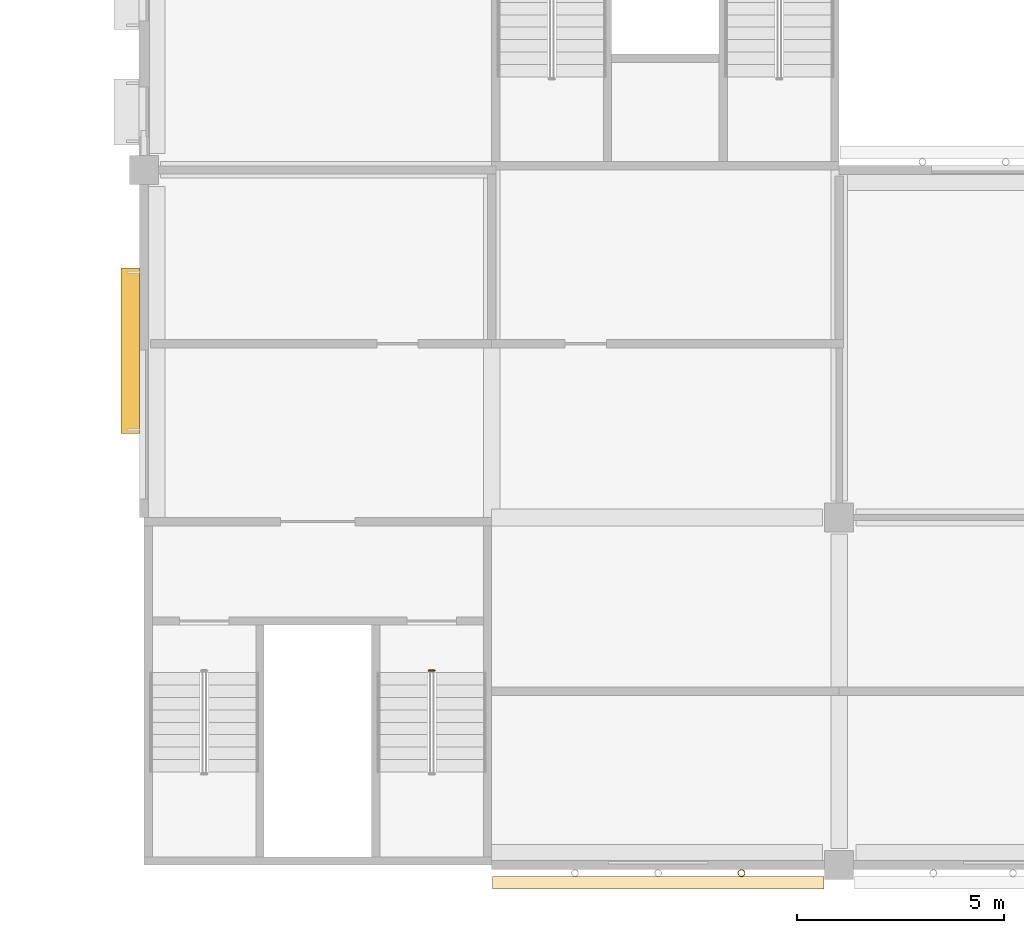
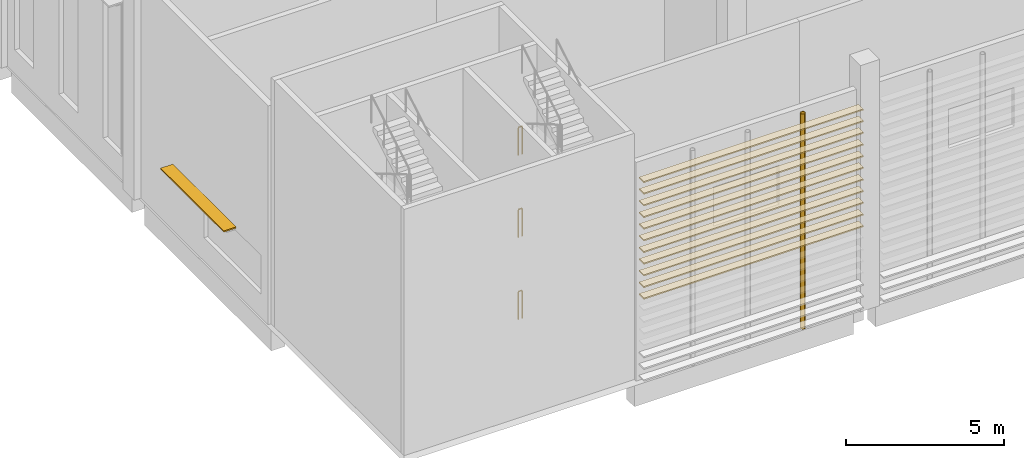
# One storey, part 72 of 114: 11 coverings, 3 railings, 2 shading devices.
"""IFC4 building model written with IfcOpenShell, lengths in metres."""

from ifc_helpers import new_model, si_unit, direction, frame, origin, origin_2d, place, context, subcontext, project, spatial, rectangle, circle, hollow_circle, extrude, material, material_profile, profile_set, type_object, element, save


model = new_model("IFC4")

# Units and contexts
model_context = context("Model", 3, precision=1e-05, world=origin(), true_north=direction((0.0, 1.0)))
body_context = subcontext(model_context, "Body", "Model", "MODEL_VIEW")
ifc_project = project(units=[si_unit("LENGTHUNIT", "METRE"), si_unit("AREAUNIT", "SQUARE_METRE"), si_unit("VOLUMEUNIT", "CUBIC_METRE"), si_unit("PLANEANGLEUNIT", "RADIAN"), si_unit("MASSUNIT", "GRAM", prefix="KILO")], contexts=[model_context])

# Site, building, storey
site_placement = place(None, origin())
site = spatial("IfcSite", under=ifc_project, at=site_placement, CompositionType="ELEMENT")
building_placement = place(site_placement, origin())
building = spatial("IfcBuilding", under=site, at=building_placement, Name="Almond Square Museum", CompositionType="ELEMENT")
storey_placement = place(building_placement, frame((0.0, 0.0, 10.5)))
storey = spatial("IfcBuildingStorey", under=building, at=storey_placement, Name="L02", CompositionType="ELEMENT", Elevation=10.5)

# Shading device
ifc_material_1 = material(Name="Structural steel S355", Category="steel")
ifc_material_profile_1 = material_profile(ifc_material_1, hollow_circle(Radius=0.084228515625, WallThickness=0.008056640625, at=origin_2d()))
ifc_profile_set_1 = profile_set([ifc_material_profile_1], Name="Structural steel S355")
shading_device_type_1 = type_object("IfcShadingDeviceType", Name="Louvre post CHS 168.3 x 8", PredefinedType="USERDEFINED", material=ifc_profile_set_1)
shading_device_1_placement = place(storey_placement, frame((20.4375, -0.194091796875, 0.0), z_axis=(0.0, 0.0, 1.0), x_axis=(1.0, 0.0, 0.0)))
element("IfcShadingDevice", 1, at=shading_device_1_placement, inside=storey, type_object=shading_device_type_1, Name="Louvre screen post", ObjectType="POST", PredefinedType="USERDEFINED", context=body_context, shape_type="SweptSolid", body=[
    extrude(hollow_circle(Radius=0.084228515625, WallThickness=0.008056640625, at=origin_2d()), origin(), (0.0, 0.0, 1.0), 8.300048828125),
])

# Coverings
ifc_material_2 = material(Name="Cedar timber louvre board", Category="wood")
ifc_material_profile_2 = material_profile(ifc_material_2, rectangle(XDim=0.300048828125, YDim=0.050048828125, at=origin_2d()))
ifc_profile_set_2 = profile_set([ifc_material_profile_2], Name="Cedar timber louvre board")
covering_type = type_object("IfcCoveringType", Name="Louvre screen board 300 x 50", PredefinedType="CLADDING", material=ifc_profile_set_2)
for number, where, z_axis, x_axis, name in (
    (2, (14.419921875, -0.42431640625, 3.449951171875), (1.0, 0.0, 0.0), (0.0, 1.0, 0.0), "Louvre screen board"),
    (3, (14.419921875, -0.42431640625, 3.89990234375), (1.0, 0.0, 0.0), (0.0, 1.0, 0.0), "Louvre screen board"),
    (4, (14.419921875, -0.42431640625, 4.35009765625), (1.0, 0.0, 0.0), (0.0, 1.0, 0.0), "Louvre screen board"),
    (5, (14.419921875, -0.42431640625, 4.800048828125), (1.0, 0.0, 0.0), (0.0, 1.0, 0.0), "Louvre screen board"),
    (6, (14.419921875, -0.42431640625, 5.25), (1.0, 0.0, 0.0), (0.0, 1.0, 0.0), "Louvre screen board"),
    (7, (14.419921875, -0.42431640625, 5.699951171875), (1.0, 0.0, 0.0), (0.0, 1.0, 0.0), "Louvre screen board"),
    (8, (14.419921875, -0.42431640625, 6.14990234375), (1.0, 0.0, 0.0), (0.0, 1.0, 0.0), "Louvre screen board"),
    (9, (14.419921875, -0.42431640625, 6.60009765625), (1.0, 0.0, 0.0), (0.0, 1.0, 0.0), "Louvre screen board"),
    (10, (14.419921875, -0.42431640625, 7.050048828125), (1.0, 0.0, 0.0), (0.0, 1.0, 0.0), "Louvre screen board"),
    (11, (14.419921875, -0.42431640625, 7.5), (1.0, 0.0, 0.0), (0.0, 1.0, 0.0), "Louvre screen board"),
    (12, (14.419921875, -0.42431640625, 7.949951171875), (1.0, 0.0, 0.0), (0.0, 1.0, 0.0), "Louvre screen board"),
):
    element("IfcCovering", number, at=place(storey_placement, frame(where, z_axis=z_axis, x_axis=x_axis)), inside=storey, type_object=covering_type, Name=name, PredefinedType="CLADDING", context=body_context, shape_type="SweptSolid", body=[
        extrude(rectangle(XDim=0.300048828125, YDim=0.050048828125, at=origin_2d()), origin(), (0.0, 0.0, 1.0), 8.010009765625),
    ])

# Railings
ifc_material_3 = material(Name="Stainless steel and laminated glass", Category="steel")
railing_type = type_object("IfcRailingType", Name="Stair guard 1100 steel and glass", PredefinedType="GUARDRAIL", material=ifc_material_3)
for number, where, name in (
    (13, (12.8798828125, 4.699951171875, 3.166748046875), "L02 ST-28 stair guard 4"),
    (14, (12.8798828125, 4.699951171875, 6.333251953125), "L02 ST-28 stair guard 8"),
    (15, (12.8798828125, 4.699951171875, 0.0), "L02 ST-28 stair guard 12"),
):
    element("IfcRailing", number, at=place(storey_placement, frame(where)), inside=storey, type_object=railing_type, Name=name, PredefinedType="GUARDRAIL", context=body_context, shape_type="SweptSolid", body=[
        extrude(circle(Radius=0.02392578125, at=origin_2d()), frame((0.0, 0.0, 1.076171875), z_axis=(1.0, 0.0, 0.0), x_axis=(0.0, 1.0, 0.0)), (0.0, 0.0, 1.0), 0.14013671875),
        extrude(circle(Radius=0.02099609375, at=origin_2d()), origin(), (0.0, 0.0, 1.0), 1.052001953125),
        extrude(circle(Radius=0.02099609375, at=origin_2d()), frame((0.14013671875, 0.0, 0.0)), (0.0, 0.0, 1.0), 1.052001953125),
    ])

# Shading device
ifc_material_4 = material(Name="Anodised aluminium", Category="aluminium")
ifc_material_profile_3 = material_profile(ifc_material_4, rectangle(XDim=0.449951171875, YDim=0.050048828125, at=origin_2d()))
ifc_profile_set_3 = profile_set([ifc_material_profile_3], Name="Anodised aluminium")
shading_device_type_2 = type_object("IfcShadingDeviceType", Name="Sun-shade blade 450 x 50", PredefinedType="USERDEFINED", material=ifc_profile_set_3)
shading_device_2_placement = place(storey_placement, frame((5.6669921875, 10.425048828125, 2.52001953125), z_axis=(0.0, 1.0, 0.0), x_axis=(-1.0, 0.0, 0.0)))
element("IfcShadingDevice", 16, at=shading_device_2_placement, inside=storey, type_object=shading_device_type_2, Name="Sun-shade blade", ObjectType="LOUVRE", PredefinedType="USERDEFINED", context=body_context, shape_type="SweptSolid", body=[
    extrude(rectangle(XDim=0.449951171875, YDim=0.050048828125, at=origin_2d()), origin(), (0.0, 0.0, 1.0), 4.0),
])

save(model, "model.ifc")
